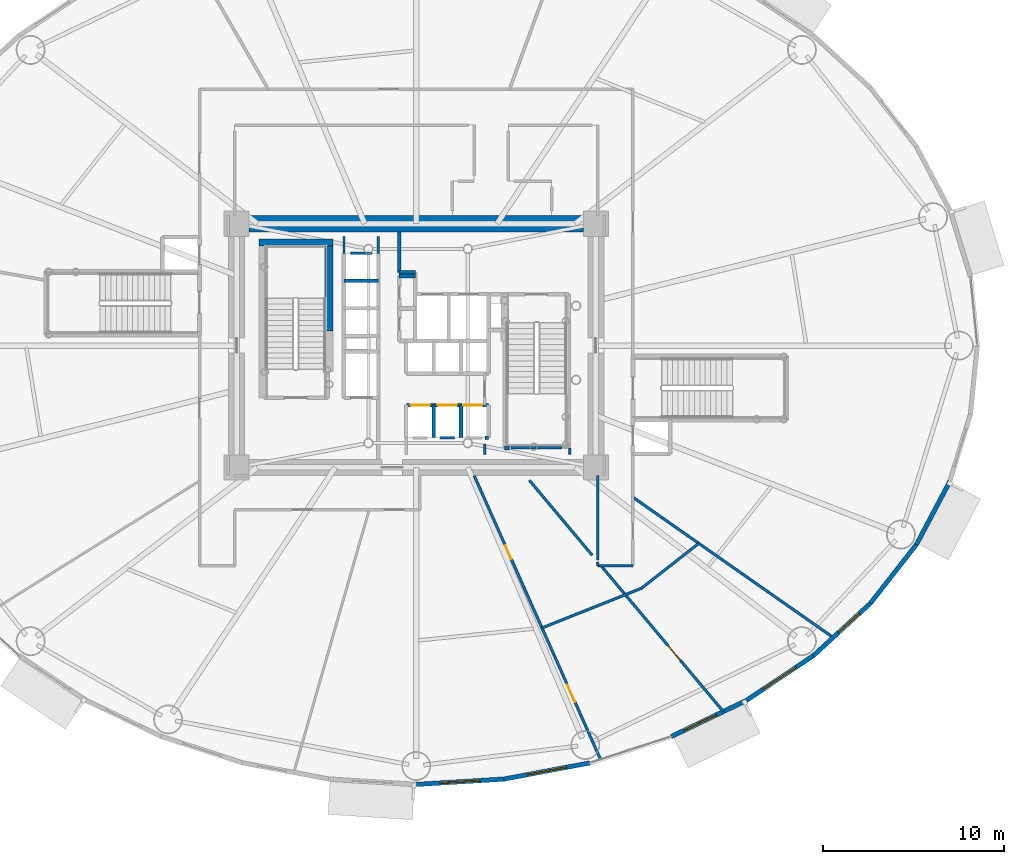
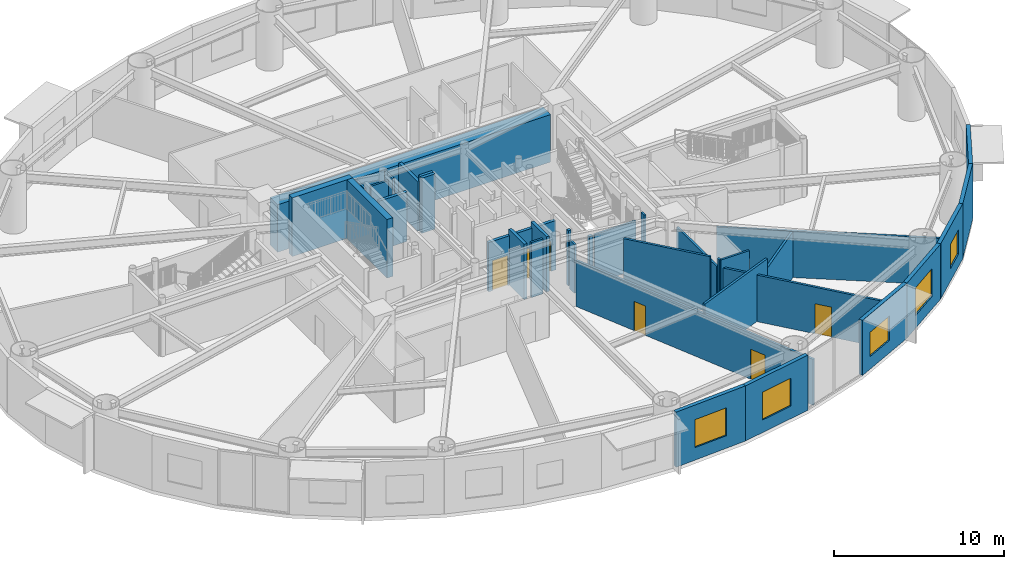
# One storey, part 14 of 28: 35 walls, 6 doors, 5 windows, 11 openings.
"""IFC4 building model written with IfcOpenShell, lengths in metres."""

from ifc_helpers import new_model, si_unit, direction, frame, frame_2d, origin, origin_2d, place, context, subcontext, project, spatial, rectangle, extrude, source, transform, mapped, material, layer, layer_set, type_object, element, fill, save


model = new_model("IFC4")

# Units and contexts
model_context = context("Model", 3, precision=1e-05, world=origin(), true_north=direction((0.0, 1.0)))
body_context = subcontext(model_context, "Body", "Model", "MODEL_VIEW")
ifc_project = project(units=[si_unit("LENGTHUNIT", "METRE"), si_unit("AREAUNIT", "SQUARE_METRE"), si_unit("VOLUMEUNIT", "CUBIC_METRE"), si_unit("PLANEANGLEUNIT", "RADIAN"), si_unit("MASSUNIT", "GRAM", prefix="KILO")], contexts=[model_context])

# Site, building, storey
site_placement = place(None, origin())
site = spatial("IfcSite", under=ifc_project, at=site_placement, CompositionType="ELEMENT")
building_placement = place(site_placement, origin())
building = spatial("IfcBuilding", under=site, at=building_placement, Name="Linh Dai School and Residence Tower", CompositionType="ELEMENT")
storey_placement = place(building_placement, frame((0.0, 0.0, 36.60009765625)))
storey = spatial("IfcBuildingStorey", under=building, at=storey_placement, Name="L08", CompositionType="ELEMENT", Elevation=36.60009765625)

# Wall, opening, window
ifc_material_1 = material(Name="Precast Concrete B45 (C35/45)", Category="concrete")
ifc_layer_1 = layer(ifc_material_1, 0.25)
ifc_layer_set_1 = layer_set([ifc_layer_1], Name="Precast Concrete B45 (C35/45)")
wall_type_1 = type_object("IfcWallType", Name="EW-TC-250", PredefinedType="SOLIDWALL", material=ifc_layer_set_1)
wall_1_placement = place(storey_placement, frame((40.865478515625, 2.994873046875, 0.0), z_axis=(0.0, 0.0, 1.0), x_axis=(-0.998106954071, -0.061502099433, 0.0)))
wall_1 = element("IfcWall", 1, at=wall_1_placement, inside=storey, type_object=wall_type_1, Name="L08 Terracotta Exterior Wall 31", PredefinedType="SOLIDWALL", context=body_context, shape_type="SweptSolid", body=[
    extrude(rectangle(XDim=4.874755859375, YDim=0.25, at=frame_2d((2.4375, 0.0))), origin(), (0.0, 0.0, 1.0), 3.949951171875),
])
opening_1_placement = place(wall_1_placement, frame((1.33740234375, 0.0, 0.89990234375)))
opening_1 = element("IfcOpeningElement", 2, at=opening_1_placement, cuts=wall_1, Name="Opening W4", PredefinedType="OPENING", context=body_context, shape_type="SweptSolid", body=[
    extrude(rectangle(XDim=2.199951171875, YDim=2.0, at=origin_2d()), frame((1.10009765625, 0.135009765625, 1.0), z_axis=(0.0, -1.0, 0.0), x_axis=(1.0, 0.0, 0.0)), (0.0, 0.0, 1.0), 0.27001953125),
])
ifc_material_2 = material(Name="Acoustic Laminated Low-E Glazing", Category="glass")
window_type_1 = type_object("IfcWindowType", Name="WN-SCH-2200x2000", PartitioningType="TRIPLE_PANEL_VERTICAL", PredefinedType="WINDOW", material=ifc_material_2)
shared_shape_1 = source(origin(), body_context, "Body", "SweptSolid", [
    extrude(rectangle(XDim=2.199951171875, YDim=2.0, at=origin_2d()), frame((1.10009765625, 0.030029296875, 1.0), z_axis=(0.0, -1.0, 0.0), x_axis=(1.0, 0.0, 0.0)), (0.0, 0.0, 1.0), 0.06005859375),
])
window_1_placement = place(opening_1_placement, origin())
window_1 = element("IfcWindow", 3, at=window_1_placement, inside=storey, type_object=window_type_1, Name="L08 Exterior Window 31.1", OverallHeight=2.0, OverallWidth=2.199951171875, PartitioningType="TRIPLE_PANEL_VERTICAL", PredefinedType="WINDOW", context=body_context, shape_type="MappedRepresentation", body=[
    mapped(shared_shape_1, transform((0.0, 0.0, 0.0), x_axis=(1.0, 0.0, 0.0), y_axis=(0.0, 1.0, 0.0), z_axis=(0.0, 0.0, 1.0), scale=1.0)),
])
fill(opening_1, window_1)

wall_2_placement = place(storey_placement, frame((45.610595703125, 3.88671875, 0.0), z_axis=(0.0, 0.0, 1.0), x_axis=(-0.982791952378, -0.184715939598, 0.0)))
wall_2 = element("IfcWall", 4, at=wall_2_placement, inside=storey, type_object=wall_type_1, Name="L08 Terracotta Exterior Wall 32", PredefinedType="SOLIDWALL", context=body_context, shape_type="SweptSolid", body=[
    extrude(rectangle(XDim=4.828125, YDim=0.25, at=frame_2d((2.4140625, 0.0))), origin(), (0.0, 0.0, 1.0), 3.949951171875),
])
opening_2_placement = place(wall_2_placement, frame((1.314208984375, 0.0, 0.89990234375)))
opening_2 = element("IfcOpeningElement", 5, at=opening_2_placement, cuts=wall_2, Name="Opening W4", PredefinedType="OPENING", context=body_context, shape_type="SweptSolid", body=[
    extrude(rectangle(XDim=2.199951171875, YDim=2.0, at=origin_2d()), frame((1.10009765625, 0.135009765625, 1.0), z_axis=(0.0, -1.0, 0.0), x_axis=(1.0, 0.0, 0.0)), (0.0, 0.0, 1.0), 0.27001953125),
])
window_2_placement = place(opening_2_placement, origin())
window_2 = element("IfcWindow", 6, at=window_2_placement, inside=storey, type_object=window_type_1, Name="L08 Exterior Window 32.1", OverallHeight=2.0, OverallWidth=2.199951171875, PartitioningType="TRIPLE_PANEL_VERTICAL", PredefinedType="WINDOW", context=body_context, shape_type="MappedRepresentation", body=[
    mapped(shared_shape_1, transform((0.0, 0.0, 0.0), x_axis=(1.0, 0.0, 0.0), y_axis=(0.0, 1.0, 0.0), z_axis=(0.0, 0.0, 1.0), scale=1.0)),
])
fill(opening_2, window_2)

wall_3_placement = place(storey_placement, frame((54.277099609375, 7.34423828125, 0.0), z_axis=(0.0, 0.0, 1.0), x_axis=(-0.901601503137, -0.432567601123, 0.0)))
wall_3 = element("IfcWall", 7, at=wall_3_placement, inside=storey, type_object=wall_type_1, Name="L08 Terracotta Exterior Wall 34", PredefinedType="SOLIDWALL", context=body_context, shape_type="SweptSolid", body=[
    extrude(rectangle(XDim=4.61279296875, YDim=0.25, at=frame_2d((2.306396484375, 0.0))), origin(), (0.0, 0.0, 1.0), 3.949951171875),
])
opening_3_placement = place(wall_3_placement, frame((1.83349609375, 0.0, 0.89990234375)))
opening_3 = element("IfcOpeningElement", 8, at=opening_3_placement, cuts=wall_3, Name="Opening W1", PredefinedType="OPENING", context=body_context, shape_type="SweptSolid", body=[
    extrude(rectangle(XDim=2.0, YDim=1.75, at=origin_2d()), frame((1.0, 0.135009765625, 0.875), z_axis=(0.0, -1.0, 0.0), x_axis=(1.0, 0.0, 0.0)), (0.0, 0.0, 1.0), 0.27001953125),
])
ifc_material_3 = material(Name="Double Low-E Insulated Glazing", Category="glass")
window_type_2 = type_object("IfcWindowType", Name="WN-RES-2000x1750", PartitioningType="DOUBLE_PANEL_VERTICAL", PredefinedType="WINDOW", material=ifc_material_3)
shared_shape_2 = source(origin(), body_context, "Body", "SweptSolid", [
    extrude(rectangle(XDim=2.0, YDim=1.75, at=origin_2d()), frame((1.0, 0.030029296875, 0.875), z_axis=(0.0, -1.0, 0.0), x_axis=(1.0, 0.0, 0.0)), (0.0, 0.0, 1.0), 0.06005859375),
])
window_3_placement = place(opening_3_placement, origin())
window_3 = element("IfcWindow", 9, at=window_3_placement, inside=storey, type_object=window_type_2, Name="L08 Exterior Window 34.1", OverallHeight=1.75, OverallWidth=2.0, PartitioningType="DOUBLE_PANEL_VERTICAL", PredefinedType="WINDOW", context=body_context, shape_type="MappedRepresentation", body=[
    mapped(shared_shape_2, transform((0.0, 0.0, 0.0), x_axis=(1.0, 0.0, 0.0), y_axis=(0.0, 1.0, 0.0), z_axis=(0.0, 0.0, 1.0), scale=1.0)),
])
fill(opening_3, window_3)

wall_4_placement = place(storey_placement, frame((57.984619140625, 9.82373046875, 0.0), z_axis=(0.0, 0.0, 1.0), x_axis=(-0.831240982525, -0.555912249343, 0.0)))
wall_4 = element("IfcWall", 10, at=wall_4_placement, inside=storey, type_object=wall_type_1, Name="L08 Terracotta Exterior Wall 35", PredefinedType="SOLIDWALL", context=body_context, shape_type="SweptSolid", body=[
    extrude(rectangle(XDim=4.460205078125, YDim=0.25, at=frame_2d((2.22998046875, 0.0))), origin(), (0.0, 0.0, 1.0), 3.949951171875),
])
opening_4_placement = place(wall_4_placement, frame((1.13037109375, 0.0, 0.89990234375)))
opening_4 = element("IfcOpeningElement", 11, at=opening_4_placement, cuts=wall_4, Name="Opening W4", PredefinedType="OPENING", context=body_context, shape_type="SweptSolid", body=[
    extrude(rectangle(XDim=2.199951171875, YDim=2.0, at=origin_2d()), frame((1.10009765625, 0.135009765625, 1.0), z_axis=(0.0, -1.0, 0.0), x_axis=(1.0, 0.0, 0.0)), (0.0, 0.0, 1.0), 0.27001953125),
])
window_4_placement = place(opening_4_placement, origin())
window_4 = element("IfcWindow", 12, at=window_4_placement, inside=storey, type_object=window_type_1, Name="L08 Exterior Window 35.1", OverallHeight=2.0, OverallWidth=2.199951171875, PartitioningType="TRIPLE_PANEL_VERTICAL", PredefinedType="WINDOW", context=body_context, shape_type="MappedRepresentation", body=[
    mapped(shared_shape_1, transform((0.0, 0.0, 0.0), x_axis=(1.0, 0.0, 0.0), y_axis=(0.0, 1.0, 0.0), z_axis=(0.0, 0.0, 1.0), scale=1.0)),
])
fill(opening_4, window_4)

wall_5_placement = place(storey_placement, frame((61.149658203125, 12.725341796875, 0.0), z_axis=(0.0, 0.0, 1.0), x_axis=(-0.737116376281, -0.67576582321, 0.0)))
wall_5 = element("IfcWall", 13, at=wall_5_placement, inside=storey, type_object=wall_type_1, Name="L08 Terracotta Exterior Wall 36", PredefinedType="SOLIDWALL", context=body_context, shape_type="SweptSolid", body=[
    extrude(rectangle(XDim=4.293701171875, YDim=0.25, at=frame_2d((2.14697265625, 0.0))), origin(), (0.0, 0.0, 1.0), 3.949951171875),
])
opening_5_placement = place(wall_5_placement, frame((0.80810546875, 0.0, 0.89990234375)))
opening_5 = element("IfcOpeningElement", 14, at=opening_5_placement, cuts=wall_5, Name="Opening W2", PredefinedType="OPENING", context=body_context, shape_type="SweptSolid", body=[
    extrude(rectangle(XDim=1.60009765625, YDim=1.75, at=origin_2d()), frame((0.800048828125, 0.135009765625, 0.875), z_axis=(0.0, -1.0, 0.0), x_axis=(1.0, 0.0, 0.0)), (0.0, 0.0, 1.0), 0.27001953125),
])
window_type_3 = type_object("IfcWindowType", Name="WN-RES-1600x1750", PartitioningType="DOUBLE_PANEL_VERTICAL", PredefinedType="WINDOW", material=ifc_material_3)
shared_shape_3 = source(origin(), body_context, "Body", "SweptSolid", [
    extrude(rectangle(XDim=1.60009765625, YDim=1.75, at=origin_2d()), frame((0.800048828125, 0.030029296875, 0.875), z_axis=(0.0, -1.0, 0.0), x_axis=(1.0, 0.0, 0.0)), (0.0, 0.0, 1.0), 0.06005859375),
])
window_5_placement = place(opening_5_placement, origin())
window_5 = element("IfcWindow", 15, at=window_5_placement, inside=storey, type_object=window_type_3, Name="L08 Exterior Window 36.1", OverallHeight=1.75, OverallWidth=1.60009765625, PartitioningType="DOUBLE_PANEL_VERTICAL", PredefinedType="WINDOW", context=body_context, shape_type="MappedRepresentation", body=[
    mapped(shared_shape_3, transform((0.0, 0.0, 0.0), x_axis=(1.0, 0.0, 0.0), y_axis=(0.0, 1.0, 0.0), z_axis=(0.0, 0.0, 1.0), scale=1.0)),
])
fill(opening_5, window_5)

# Walls
wall_6_placement = place(storey_placement, frame((63.694580078125, 15.977294921875, 0.0), z_axis=(0.0, 0.0, 1.0), x_axis=(-0.616295508253, -0.787514981767, 0.0)))
element("IfcWall", 16, at=wall_6_placement, inside=storey, type_object=wall_type_1, Name="L08 Terracotta Exterior Wall 37", PredefinedType="SOLIDWALL", context=body_context, shape_type="SweptSolid", body=[
    extrude(rectangle(XDim=4.12939453125, YDim=0.25, at=frame_2d((2.064697265625, 0.0))), origin(), (0.0, 0.0, 1.0), 3.949951171875),
])
wall_7_placement = place(storey_placement, frame((65.5576171875, 19.49853515625, 0.0), z_axis=(0.0, 0.0, 1.0), x_axis=(-0.467662443071, -0.883907144072, 0.0)))
element("IfcWall", 17, at=wall_7_placement, inside=storey, type_object=wall_type_1, Name="L08 Terracotta Exterior Wall 38", PredefinedType="SOLIDWALL", context=body_context, shape_type="SweptSolid", body=[
    extrude(rectangle(XDim=3.983642578125, YDim=0.25, at=frame_2d((1.99169921875, 0.0))), origin(), (0.0, 0.0, 1.0), 3.949951171875),
])
ifc_material_4 = material(Name="Autoclaved Aerated Concrete Blockwork", Category="masonry")
ifc_layer_2 = layer(ifc_material_4, 0.135009765625)
ifc_layer_set_2 = layer_set([ifc_layer_2], Name="Autoclaved Aerated Concrete Blockwork")
wall_type_2 = type_object("IfcWallType", Name="IW-CORR-135-EI90", PredefinedType="PARTITIONING", material=ifc_layer_set_2)
wall_8_placement = place(storey_placement, frame((46.050048828125, 14.800048828125, 0.0), z_axis=(0.0, 0.0, 1.0), x_axis=(0.0, 1.0, 0.0)))
element("IfcWall", 18, at=wall_8_placement, inside=storey, type_object=wall_type_2, Name="L08 Interior Partition Wall 055", PredefinedType="PARTITIONING", context=body_context, shape_type="SweptSolid", body=[
    extrude(rectangle(XDim=0.222900390625, YDim=0.135009765625, at=frame_2d((0.111328125, 0.0))), origin(), (0.0, 0.0, 1.0), 3.949951171875),
])
wall_9_placement = place(storey_placement, frame((46.050048828125, 14.800048828125, 0.0), z_axis=(0.0, 0.0, 1.0), x_axis=(1.0, 0.0, 0.0)))
element("IfcWall", 19, at=wall_9_placement, inside=storey, type_object=wall_type_2, Name="L08 Interior Partition Wall 056", PredefinedType="PARTITIONING", context=body_context, shape_type="SweptSolid", body=[
    extrude(rectangle(XDim=1.949951171875, YDim=0.135009765625, at=frame_2d((0.97509765625, 0.0))), origin(), (0.0, 0.0, 1.0), 3.949951171875),
])
wall_10_placement = place(storey_placement, frame((44.080078125, 21.330078125, 0.0), z_axis=(0.0, 0.0, 1.0), x_axis=(-1.0, 0.0, 0.0)))
element("IfcWall", 20, at=wall_10_placement, inside=storey, type_object=wall_type_2, Name="L08 Interior Partition Wall 068", PredefinedType="PARTITIONING", context=body_context, shape_type="SweptSolid", body=[
    extrude(rectangle(XDim=2.820068359375, YDim=0.135009765625, at=frame_2d((1.41015625, 0.0))), origin(), (0.0, 0.0, 1.0), 3.48486328125),
])
wall_11_placement = place(storey_placement, frame((38.1201171875, 21.89990234375, 0.0), z_axis=(0.0, 0.0, 1.0), x_axis=(-1.0, 0.0, 0.0)))
element("IfcWall", 21, at=wall_11_placement, inside=storey, type_object=wall_type_2, Name="L08 Interior Partition Wall 070", PredefinedType="PARTITIONING", context=body_context, shape_type="SweptSolid", body=[
    extrude(rectangle(XDim=0.800048828125, YDim=0.135009765625, at=frame_2d((0.39990234375, 0.0))), origin(), (0.0, 0.0, 1.0), 3.949951171875),
])
wall_12_placement = place(storey_placement, frame((32.360107421875, 32.10009765625, 0.0), z_axis=(0.0, 0.0, 1.0), x_axis=(1.0, 0.0, 0.0)))
element("IfcWall", 22, at=wall_12_placement, inside=storey, type_object=wall_type_2, Name="L08 Interior Partition Wall 072", PredefinedType="PARTITIONING", context=body_context, shape_type="SweptSolid", body=[
    extrude(rectangle(XDim=1.179931640625, YDim=0.135009765625, at=frame_2d((0.58984375, 0.0))), origin(), (0.0, 0.0, 1.0), 3.534912109375),
])
wall_13_placement = place(storey_placement, frame((39.800048828125, 20.9599609375, 0.0), z_axis=(0.0, 0.0, 1.0), x_axis=(0.0, 1.0, 0.0)))
element("IfcWall", 23, at=wall_13_placement, inside=storey, type_object=wall_type_2, Name="L08 Interior Partition Wall 073", PredefinedType="PARTITIONING", context=body_context, shape_type="SweptSolid", body=[
    extrude(rectangle(XDim=0.580078125, YDim=0.135009765625, at=frame_2d((0.2900390625, 0.0))), origin(), (0.0, 0.0, 1.0), 3.48486328125),
])
wall_14_placement = place(storey_placement, frame((32.0, 33.0400390625, 0.0), z_axis=(0.0, 0.0, 1.0), x_axis=(0.0, -1.0, 0.0)))
element("IfcWall", 24, at=wall_14_placement, inside=storey, type_object=wall_type_2, Name="L08 Interior Partition Wall 074", PredefinedType="PARTITIONING", context=body_context, shape_type="SweptSolid", body=[
    extrude(rectangle(XDim=0.929931640625, YDim=0.135009765625, at=frame_2d((0.46484375, 0.0))), origin(), (0.0, 0.0, 1.0), 3.48486328125),
])
wall_15_placement = place(storey_placement, frame((44.5, 20.9599609375, 0.0), z_axis=(0.0, 0.0, 1.0), x_axis=(0.0, 1.0, 0.0)))
element("IfcWall", 25, at=wall_15_placement, inside=storey, type_object=wall_type_2, Name="L08 Interior Partition Wall 075", PredefinedType="PARTITIONING", context=body_context, shape_type="SweptSolid", body=[
    extrude(rectangle(XDim=0.360107421875, YDim=0.135009765625, at=frame_2d((0.18017578125, 0.0))), origin(), (0.0, 0.0, 1.0), 3.949951171875),
])
wall_16_placement = place(storey_placement, frame((33.89990234375, 32.110107421875, 0.0), z_axis=(0.0, 0.0, 1.0), x_axis=(0.0, 1.0, 0.0)))
element("IfcWall", 26, at=wall_16_placement, inside=storey, type_object=wall_type_2, Name="L08 Interior Partition Wall 077", PredefinedType="PARTITIONING", context=body_context, shape_type="SweptSolid", body=[
    extrude(rectangle(XDim=0.929931640625, YDim=0.135009765625, at=frame_2d((0.46484375, 0.0))), origin(), (0.0, 0.0, 1.0), 3.534912109375),
])
wall_17_placement = place(storey_placement, frame((46.050048828125, 15.12744140625, 0.0), z_axis=(0.0, 0.0, 1.0), x_axis=(0.0, 1.0, 0.0)))
element("IfcWall", 27, at=wall_17_placement, inside=storey, type_object=wall_type_2, Name="L08 Interior Partition Wall 078", PredefinedType="PARTITIONING", context=body_context, shape_type="SweptSolid", body=[
    extrude(rectangle(XDim=4.672607421875, YDim=0.135009765625, at=frame_2d((2.33642578125, 0.0))), origin(), (0.0, 0.0, 1.0), 3.284912109375),
])

# Wall, openings, doors
ifc_layer_3 = layer(ifc_material_4, 0.14990234375)
ifc_layer_set_3 = layer_set([ifc_layer_3], Name="Autoclaved Aerated Concrete Blockwork")
wall_type_3 = type_object("IfcWallType", Name="IW-SCH-150-EI60", PredefinedType="PARTITIONING", material=ifc_layer_set_3)
wall_18_placement = place(storey_placement, frame((39.20556640625, 19.800048828125, 0.0), z_axis=(0.0, 0.0, 1.0), x_axis=(0.406734516924, -0.913546404263, 0.0)))
wall_18 = element("IfcWall", 28, at=wall_18_placement, inside=storey, type_object=wall_type_3, Name="L08 Interior Partition Wall 044", PredefinedType="PARTITIONING", context=body_context, shape_type="SweptSolid", body=[
    extrude(rectangle(XDim=17.213134765625, YDim=0.14990234375, at=frame_2d((8.6064453125, 0.0))), origin(), (0.0, 0.0, 1.0), 3.284912109375),
])
opening_6_placement = place(wall_18_placement, frame((4.227783203125, 0.0, 0.0)))
opening_6 = element("IfcOpeningElement", 29, at=opening_6_placement, cuts=wall_18, Name="Opening D06", PredefinedType="OPENING", context=body_context, shape_type="SweptSolid", body=[
    extrude(rectangle(XDim=0.820068359375, YDim=2.10009765625, at=origin_2d()), frame((0.41015625, 0.0849609375, 1.050048828125), z_axis=(0.0, -1.0, 0.0), x_axis=(1.0, 0.0, 0.0)), (0.0, 0.0, 1.0), 0.169921875),
])
opening_7_placement = place(wall_18_placement, frame((12.679443359375, 0.0, 0.0)))
opening_7 = element("IfcOpeningElement", 30, at=opening_7_placement, cuts=wall_18, Name="Opening D04", PredefinedType="OPENING", context=body_context, shape_type="SweptSolid", body=[
    extrude(rectangle(XDim=1.050048828125, YDim=2.14990234375, at=origin_2d()), frame((0.52490234375, 0.0849609375, 1.074951171875), z_axis=(0.0, -1.0, 0.0), x_axis=(1.0, 0.0, 0.0)), (0.0, 0.0, 1.0), 0.169921875),
])
ifc_material_5 = material(Name="Acoustic Vision-Panel Timber Classroom Door", Category="wood")
door_type_1 = type_object("IfcDoorType", Name="DR-SCH-1050x2150-FD60S", OperationType="NOTDEFINED", PredefinedType="DOOR", material=ifc_material_5)
shared_shape_4 = source(origin(), body_context, "Body", "SweptSolid", [
    extrude(rectangle(XDim=1.050048828125, YDim=2.14990234375, at=origin_2d()), frame((0.52490234375, 0.02490234375, 1.074951171875), z_axis=(0.0, -1.0, 0.0), x_axis=(1.0, 0.0, 0.0)), (0.0, 0.0, 1.0), 0.050048828125),
])
door_1_placement = place(opening_7_placement, origin())
door_1 = element("IfcDoor", 31, at=door_1_placement, inside=storey, type_object=door_type_1, Name="L08 Resource Study Room BWC Door", OperationType="SINGLE_SWING_LEFT", OverallHeight=2.14990234375, OverallWidth=1.050048828125, PredefinedType="DOOR", context=body_context, shape_type="MappedRepresentation", body=[
    mapped(shared_shape_4, transform((0.0, 0.0, 0.0), x_axis=(1.0, 0.0, 0.0), y_axis=(0.0, 1.0, 0.0), z_axis=(0.0, 0.0, 1.0), scale=1.0)),
])
fill(opening_7, door_1)
ifc_material_6 = material(Name="Moisture-Resistant Timber Bathroom Door", Category="wood")
door_type_2 = type_object("IfcDoorType", Name="DR-WET-820x2100", OperationType="NOTDEFINED", PredefinedType="DOOR", material=ifc_material_6)
shared_shape_5 = source(origin(), body_context, "Body", "SweptSolid", [
    extrude(rectangle(XDim=0.820068359375, YDim=2.10009765625, at=origin_2d()), frame((0.41015625, 0.02490234375, 1.050048828125), z_axis=(0.0, -1.0, 0.0), x_axis=(1.0, 0.0, 0.0)), (0.0, 0.0, 1.0), 0.050048828125),
])
door_2_placement = place(opening_6_placement, origin())
door_2 = element("IfcDoor", 32, at=door_2_placement, inside=storey, type_object=door_type_2, Name="L08 Tower School Boys WC Door", OperationType="SINGLE_SWING_RIGHT", OverallHeight=2.10009765625, OverallWidth=0.820068359375, PredefinedType="DOOR", context=body_context, shape_type="MappedRepresentation", body=[
    mapped(shared_shape_5, transform((0.0, 0.0, 0.0), x_axis=(1.0, 0.0, 0.0), y_axis=(0.0, 1.0, 0.0), z_axis=(0.0, 0.0, 1.0), scale=1.0)),
])
fill(opening_6, door_2)

# Wall
wall_19_placement = place(storey_placement, frame((42.962158203125, 11.36279296875, 0.0), z_axis=(0.0, 0.0, 1.0), x_axis=(0.928814161578, 0.370545885487, 0.0)))
element("IfcWall", 33, at=wall_19_placement, inside=storey, type_object=wall_type_3, Name="L08 Interior Partition Wall 053", PredefinedType="PARTITIONING", context=body_context, shape_type="SweptSolid", body=[
    extrude(rectangle(XDim=5.930419921875, YDim=0.14990234375, at=frame_2d((2.96533203125, 0.0))), origin(), (0.0, 0.0, 1.0), 3.949951171875),
])

# Wall, opening, door
wall_20_placement = place(storey_placement, frame((46.237060546875, 14.800048828125, 0.0), z_axis=(0.0, 0.0, 1.0), x_axis=(0.642781648826, -0.766049444835, 0.0)))
wall_20 = element("IfcWall", 34, at=wall_20_placement, inside=storey, type_object=wall_type_3, Name="L08 Interior Partition Wall 057", PredefinedType="PARTITIONING", context=body_context, shape_type="SweptSolid", body=[
    extrude(rectangle(XDim=10.53466796875, YDim=0.14990234375, at=frame_2d((5.267333984375, 0.0))), origin(), (0.0, 0.0, 1.0), 3.3349609375),
])
opening_8_placement = place(wall_20_placement, frame((5.76416015625, 0.0, 0.0)))
opening_8 = element("IfcOpeningElement", 35, at=opening_8_placement, cuts=wall_20, Name="Opening D04", PredefinedType="OPENING", context=body_context, shape_type="SweptSolid", body=[
    extrude(rectangle(XDim=1.050048828125, YDim=2.14990234375, at=origin_2d()), frame((0.52490234375, 0.0849609375, 1.074951171875), z_axis=(0.0, -1.0, 0.0), x_axis=(1.0, 0.0, 0.0)), (0.0, 0.0, 1.0), 0.169921875),
])
door_3_placement = place(opening_8_placement, origin())
door_3 = element("IfcDoor", 36, at=door_3_placement, inside=storey, type_object=door_type_1, Name="L08 Resource Study Room GWC Door", OperationType="SINGLE_SWING_LEFT", OverallHeight=2.14990234375, OverallWidth=1.050048828125, PredefinedType="DOOR", context=body_context, shape_type="MappedRepresentation", body=[
    mapped(shared_shape_4, transform((0.0, 0.0, 0.0), x_axis=(1.0, 0.0, 0.0), y_axis=(0.0, 1.0, 0.0), z_axis=(0.0, 0.0, 1.0), scale=1.0)),
])
fill(opening_8, door_3)

# Walls
wall_21_placement = place(storey_placement, frame((48.0, 18.597412109375, 0.0), z_axis=(0.0, 0.0, 1.0), x_axis=(0.819149742045, -0.573579724283, 0.0)))
element("IfcWall", 37, at=wall_21_placement, inside=storey, type_object=wall_type_3, Name="L08 Interior Partition Wall 059", PredefinedType="PARTITIONING", context=body_context, shape_type="SweptSolid", body=[
    extrude(rectangle(XDim=13.539794921875, YDim=0.14990234375, at=frame_2d((6.77001953125, 0.0))), origin(), (0.0, 0.0, 1.0), 3.3349609375),
])
wall_22_placement = place(storey_placement, frame((48.470458984375, 13.560302734375, 0.0), z_axis=(0.0, 0.0, 1.0), x_axis=(0.787349065848, 0.616507460221, 0.0)))
element("IfcWall", 38, at=wall_22_placement, inside=storey, type_object=wall_type_3, Name="L08 Interior Partition Wall 065", PredefinedType="PARTITIONING", context=body_context, shape_type="SweptSolid", body=[
    extrude(rectangle(XDim=4.03125, YDim=0.14990234375, at=frame_2d((2.015625, 0.0))), origin(), (0.0, 0.0, 1.0), 3.284912109375),
])
wall_23_placement = place(storey_placement, frame((42.259765625, 19.5400390625, 0.0), z_axis=(0.0, 0.0, 1.0), x_axis=(0.642773520502, -0.766056265128, 0.0)))
element("IfcWall", 39, at=wall_23_placement, inside=storey, type_object=wall_type_3, Name="L08 Interior Partition Wall 094", PredefinedType="PARTITIONING", context=body_context, shape_type="SweptSolid", body=[
    extrude(rectangle(XDim=5.418212890625, YDim=0.14990234375, at=frame_2d((2.708984375, 0.0))), origin(), (0.0, 0.0, 1.0), 3.949951171875),
])
ifc_material_7 = material(Name="Concrete B45 (C35/45)", Category="concrete")
ifc_layer_4 = layer(ifc_material_7, 0.199951171875)
ifc_layer_set_4 = layer_set([ifc_layer_4], Name="Concrete B45 (C35/45)")
wall_type_4 = type_object("IfcWallType", Name="IW-SHAFT-200-EI120", PredefinedType="PARTITIONING", material=ifc_layer_set_4)
wall_24_placement = place(storey_placement, frame((32.0, 30.580078125, 0.0), z_axis=(0.0, 0.0, 1.0), x_axis=(1.0, 0.0, 0.0)))
element("IfcWall", 40, at=wall_24_placement, inside=storey, type_object=wall_type_4, Name="L08 Interior Partition Wall 024", PredefinedType="PARTITIONING", context=body_context, shape_type="SweptSolid", body=[
    extrude(rectangle(XDim=1.89990234375, YDim=0.199951171875, at=frame_2d((0.949951171875, 0.0))), origin(), (0.0, 0.0, 1.0), 3.534912109375),
])
wall_25_placement = place(storey_placement, frame((35.050048828125, 30.85009765625, 0.0), z_axis=(0.0, 0.0, 1.0), x_axis=(1.0, 0.0, 0.0)))
element("IfcWall", 41, at=wall_25_placement, inside=storey, type_object=wall_type_4, Name="L08 Interior Partition Wall 029", PredefinedType="PARTITIONING", context=body_context, shape_type="SweptSolid", body=[
    extrude(rectangle(XDim=0.89990234375, YDim=0.199951171875, at=frame_2d((0.449951171875, 0.0))), origin(), (0.0, 0.0, 1.0), 3.949951171875),
])
wall_26_placement = place(storey_placement, frame((35.050048828125, 31.050048828125, 0.0), z_axis=(0.0, 0.0, 1.0), x_axis=(0.0, 1.0, 0.0)))
element("IfcWall", 42, at=wall_26_placement, inside=storey, type_object=wall_type_4, Name="L08 Interior Partition Wall 030", PredefinedType="PARTITIONING", context=body_context, shape_type="SweptSolid", body=[
    extrude(rectangle(XDim=2.25, YDim=0.199951171875, at=frame_2d((1.125, 0.0))), origin(), (0.0, 0.0, 1.0), 3.534912109375),
])
wall_27_placement = place(storey_placement, frame((35.050048828125, 31.050048828125, 0.0), z_axis=(0.0, 0.0, 1.0), x_axis=(1.0, 0.0, 0.0)))
element("IfcWall", 43, at=wall_27_placement, inside=storey, type_object=wall_type_4, Name="L08 Interior Partition Wall 031", PredefinedType="PARTITIONING", context=body_context, shape_type="SweptSolid", body=[
    extrude(rectangle(XDim=0.89990234375, YDim=0.199951171875, at=frame_2d((0.449951171875, 0.0))), origin(), (0.0, 0.0, 1.0), 3.949951171875),
])

# Wall, openings, doors
wall_28_placement = place(storey_placement, frame((35.449951171875, 23.699951171875, 0.0), z_axis=(0.0, 0.0, 1.0), x_axis=(1.0, 0.0, 0.0)))
wall_28 = element("IfcWall", 44, at=wall_28_placement, inside=storey, type_object=wall_type_4, Name="L08 Interior Partition Wall 033", PredefinedType="PARTITIONING", context=body_context, shape_type="SweptSolid", body=[
    extrude(rectangle(XDim=4.550048828125, YDim=0.199951171875, at=frame_2d((2.27490234375, 0.0))), origin(), (0.0, 0.0, 1.0), 3.534912109375),
])
opening_9_placement = place(wall_28_placement, frame((0.25, 0.0, 0.0)))
opening_9 = element("IfcOpeningElement", 45, at=opening_9_placement, cuts=wall_28, Name="Opening LD-PL1", PredefinedType="OPENING", context=body_context, shape_type="SweptSolid", body=[
    extrude(rectangle(XDim=1.050048828125, YDim=2.14990234375, at=origin_2d()), frame((0.52490234375, 0.10986328125, 1.074951171875), z_axis=(0.0, -1.0, 0.0), x_axis=(1.0, 0.0, 0.0)), (0.0, 0.0, 1.0), 0.219970703125),
])
opening_10_placement = place(wall_28_placement, frame((1.7451171875, 0.0, 0.0)))
opening_10 = element("IfcOpeningElement", 46, at=opening_10_placement, cuts=wall_28, Name="Opening LD-PL2", PredefinedType="OPENING", context=body_context, shape_type="SweptSolid", body=[
    extrude(rectangle(XDim=1.050048828125, YDim=2.14990234375, at=origin_2d()), frame((0.52490234375, 0.10986328125, 1.074951171875), z_axis=(0.0, -1.0, 0.0), x_axis=(1.0, 0.0, 0.0)), (0.0, 0.0, 1.0), 0.219970703125),
])
opening_11_placement = place(wall_28_placement, frame((3.1650390625, 0.0, 0.0)))
opening_11 = element("IfcOpeningElement", 47, at=opening_11_placement, cuts=wall_28, Name="Opening LD-PL3", PredefinedType="OPENING", context=body_context, shape_type="SweptSolid", body=[
    extrude(rectangle(XDim=1.050048828125, YDim=2.14990234375, at=origin_2d()), frame((0.52490234375, 0.10986328125, 1.074951171875), z_axis=(0.0, -1.0, 0.0), x_axis=(1.0, 0.0, 0.0)), (0.0, 0.0, 1.0), 0.219970703125),
])
ifc_material_8 = material(Name="Brushed Stainless Steel Lift Landing Door", Category="steel")
door_type_3 = type_object("IfcDoorType", Name="DR-LD-PASS-1050x2150", OperationType="DOUBLE_DOOR_SLIDING", PredefinedType="USERDEFINED", material=ifc_material_8)
shared_shape_6 = source(origin(), body_context, "Body", "SweptSolid", [
    extrude(rectangle(XDim=1.050048828125, YDim=2.14990234375, at=origin_2d()), frame((0.52490234375, 0.02490234375, 1.074951171875), z_axis=(0.0, -1.0, 0.0), x_axis=(1.0, 0.0, 0.0)), (0.0, 0.0, 1.0), 0.050048828125),
])
door_4_placement = place(opening_9_placement, origin())
door_4 = element("IfcDoor", 48, at=door_4_placement, inside=storey, type_object=door_type_3, Name="L08 Lift PL1 Sliding Landing Door", ObjectType="LANDING DOOR", OperationType="DOUBLE_DOOR_SLIDING", OverallHeight=2.14990234375, OverallWidth=1.050048828125, PredefinedType="USERDEFINED", context=body_context, shape_type="MappedRepresentation", body=[
    mapped(shared_shape_6, transform((0.0, 0.0, 0.0), x_axis=(1.0, 0.0, 0.0), y_axis=(0.0, 1.0, 0.0), z_axis=(0.0, 0.0, 1.0), scale=1.0)),
])
fill(opening_9, door_4)
door_5_placement = place(opening_10_placement, origin())
door_5 = element("IfcDoor", 49, at=door_5_placement, inside=storey, type_object=door_type_3, Name="L08 Lift PL2 Sliding Landing Door", ObjectType="LANDING DOOR", OperationType="DOUBLE_DOOR_SLIDING", OverallHeight=2.14990234375, OverallWidth=1.050048828125, PredefinedType="USERDEFINED", context=body_context, shape_type="MappedRepresentation", body=[
    mapped(shared_shape_6, transform((0.0, 0.0, 0.0), x_axis=(1.0, 0.0, 0.0), y_axis=(0.0, 1.0, 0.0), z_axis=(0.0, 0.0, 1.0), scale=1.0)),
])
fill(opening_10, door_5)
door_6_placement = place(opening_11_placement, origin())
door_6 = element("IfcDoor", 50, at=door_6_placement, inside=storey, type_object=door_type_3, Name="L08 Lift PL3 Sliding Landing Door", ObjectType="LANDING DOOR", OperationType="DOUBLE_DOOR_SLIDING", OverallHeight=2.14990234375, OverallWidth=1.050048828125, PredefinedType="USERDEFINED", context=body_context, shape_type="MappedRepresentation", body=[
    mapped(shared_shape_6, transform((0.0, 0.0, 0.0), x_axis=(1.0, 0.0, 0.0), y_axis=(0.0, 1.0, 0.0), z_axis=(0.0, 0.0, 1.0), scale=1.0)),
])
fill(opening_11, door_6)

# Walls
for number, where, z_axis, x_axis, name in (
    (51, (36.9599609375, 21.89990234375, 0.0), (0.0, 0.0, 1.0), (0.0, 1.0, 0.0), "L08 Interior Partition Wall 039"),
    (52, (38.47998046875, 21.89990234375, 0.0), (0.0, 0.0, 1.0), (0.0, 1.0, 0.0), "L08 Interior Partition Wall 042"),
):
    element("IfcWall", number, at=place(storey_placement, frame(where, z_axis=z_axis, x_axis=x_axis)), inside=storey, type_object=wall_type_4, Name=name, PredefinedType="PARTITIONING", context=body_context, shape_type="SweptSolid", body=[
        extrude(rectangle(XDim=1.800048828125, YDim=0.199951171875, at=frame_2d((0.89990234375, 0.0))), origin(), (0.0, 0.0, 1.0), 3.949951171875),
    ])
wall_29_placement = place(storey_placement, frame((39.800048828125, 21.89990234375, 0.0), z_axis=(0.0, 0.0, 1.0), x_axis=(1.0, 0.0, 0.0)))
element("IfcWall", 53, at=wall_29_placement, inside=storey, type_object=wall_type_4, Name="L08 Interior Partition Wall 045", PredefinedType="PARTITIONING", context=body_context, shape_type="SweptSolid", body=[
    extrude(rectangle(XDim=0.199951171875, YDim=0.199951171875, at=frame_2d((0.10009765625, 0.0))), origin(), (0.0, 0.0, 1.0), 3.949951171875),
])
wall_30_placement = place(storey_placement, frame((40.89990234375, 21.330078125, 0.0), z_axis=(0.0, 0.0, 1.0), x_axis=(1.0, 0.0, 0.0)))
element("IfcWall", 54, at=wall_30_placement, inside=storey, type_object=wall_type_4, Name="L08 Interior Partition Wall 051", PredefinedType="PARTITIONING", context=body_context, shape_type="SweptSolid", body=[
    extrude(rectangle(XDim=0.25, YDim=0.199951171875, at=frame_2d((0.125, 0.0))), origin(), (0.0, 0.0, 1.0), 3.48486328125),
])
ifc_layer_5 = layer(ifc_material_7, 0.39990234375)
ifc_layer_set_5 = layer_set([ifc_layer_5], Name="Concrete B45 (C35/45)")
wall_type_5 = type_object("IfcWallType", Name="WL-CORE400", PredefinedType="SHEAR", material=ifc_layer_set_5)
wall_31_placement = place(storey_placement, frame((31.179931640625, 27.800048828125, 0.0), z_axis=(0.0, 0.0, 1.0), x_axis=(0.0, 1.0, 0.0)))
element("IfcWall", 55, at=wall_31_placement, inside=storey, type_object=wall_type_5, Name="L08 Core Stair ST1 Bearing Wall E", PredefinedType="SHEAR", context=body_context, shape_type="SweptSolid", body=[
    extrude(rectangle(XDim=4.89990234375, YDim=0.39990234375, at=frame_2d((2.449951171875, 0.0))), origin(), (0.0, 0.0, 1.0), 4.199951171875),
])
wall_32_placement = place(storey_placement, frame((27.280029296875, 32.699951171875, 0.0), z_axis=(0.0, 0.0, 1.0), x_axis=(1.0, 0.0, 0.0)))
element("IfcWall", 56, at=wall_32_placement, inside=storey, type_object=wall_type_5, Name="L08 Core Stair ST1 Bearing Wall N", PredefinedType="SHEAR", context=body_context, shape_type="SweptSolid", body=[
    extrude(rectangle(XDim=4.099853515625, YDim=0.39990234375, at=frame_2d((2.0498046875, 0.0))), origin(), (0.0, 0.0, 1.0), 4.199951171875),
])
ifc_material_9 = material(Name="Concrete B60 (C50/60)", Category="concrete")
ifc_layer_6 = layer(ifc_material_9, 0.89990234375)
ifc_layer_set_6 = layer_set([ifc_layer_6], Name="Concrete B60 (C50/60)")
wall_type_6 = type_object("IfcWallType", Name="WL-CORE900", PredefinedType="SHEAR", material=ifc_layer_set_6)
wall_33_placement = place(storey_placement, frame((26.75, 33.75, 0.0), z_axis=(0.0, 0.0, 1.0), x_axis=(1.0, 0.0, 0.0)))
element("IfcWall", 57, at=wall_33_placement, inside=storey, type_object=wall_type_6, Name="L08 Central Core Shear Wall N", PredefinedType="SHEAR", context=body_context, shape_type="SweptSolid", body=[
    extrude(rectangle(XDim=18.5, YDim=0.89990234375, at=frame_2d((9.25, 0.0))), origin(), (0.0, 0.0, 1.0), 3.39990234375),
])

save(model, "model.ifc")
